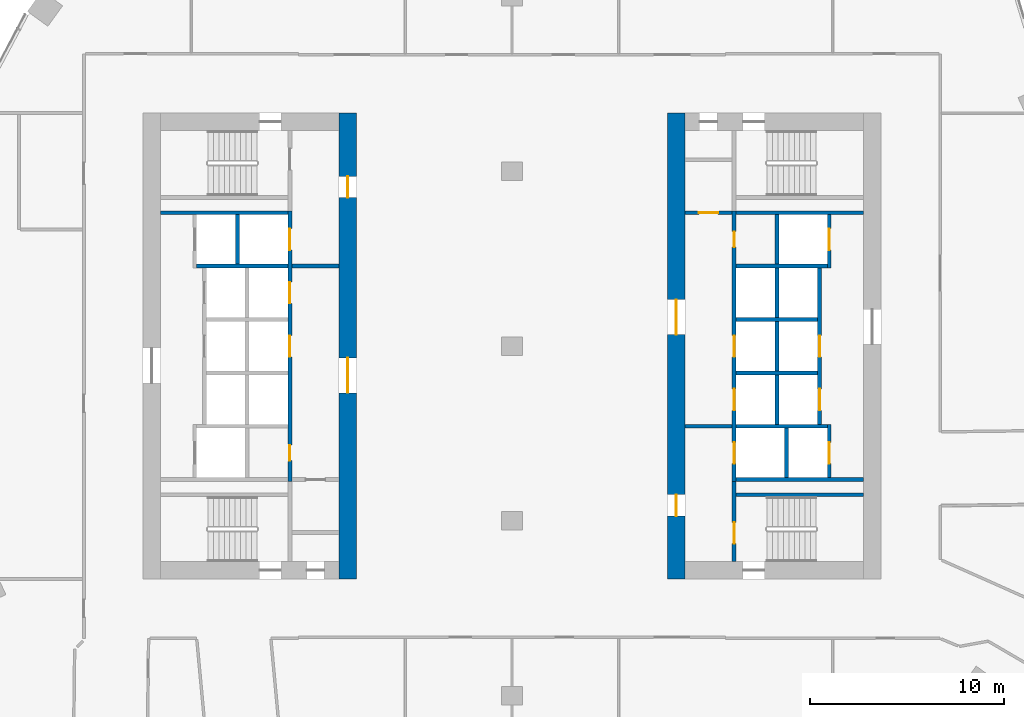
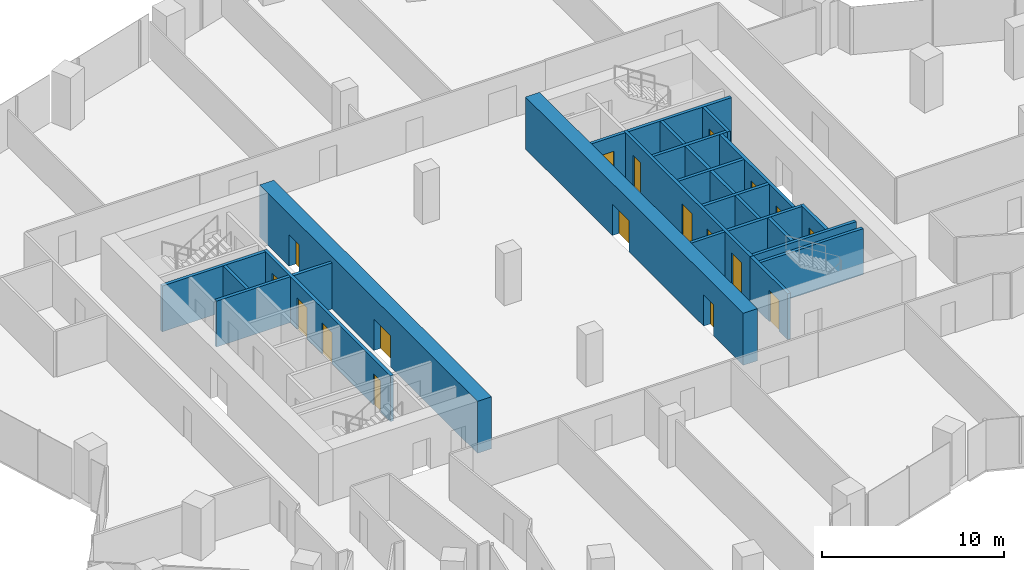
# One storey, part 25 of 31: 26 walls, 18 doors, 18 openings.
"""IFC4 building model written with IfcOpenShell, lengths in metres."""

from ifc_helpers import new_model, si_unit, direction, frame, frame_2d, origin, place, context, subcontext, project, spatial, rectangle, extrude, material, layer, layer_set, type_object, element, fill, save


model = new_model("IFC4")

# Units and contexts
model_context = context("Model", 3, precision=1e-05, world=origin(), true_north=direction((0.0, 1.0)))
body_context = subcontext(model_context, "Body", "Model", "MODEL_VIEW")
ifc_project = project(units=[si_unit("LENGTHUNIT", "METRE"), si_unit("AREAUNIT", "SQUARE_METRE"), si_unit("VOLUMEUNIT", "CUBIC_METRE"), si_unit("PLANEANGLEUNIT", "RADIAN"), si_unit("MASSUNIT", "GRAM", prefix="KILO")], contexts=[model_context])

# Site, building, storey
site_placement = place(None, origin())
site = spatial("IfcSite", under=ifc_project, at=site_placement, CompositionType="ELEMENT")
building_placement = place(site_placement, origin())
building = spatial("IfcBuilding", under=site, at=building_placement, Name="Orlundy Tower", CompositionType="ELEMENT")
storey_placement = place(building_placement, frame((0.0, 0.0, 91.199951171875)))
storey = spatial("IfcBuildingStorey", under=building, at=storey_placement, Name="L22", CompositionType="ELEMENT", Elevation=91.199951171875)

# Wall, openings, doors
ifc_material_1 = material(Name="Concrete C80/95", Category="concrete")
ifc_layer_1 = layer(ifc_material_1, 0.89990234375)
ifc_layer_set_1 = layer_set([ifc_layer_1], Name="CORE WALL 900 C80/95")
wall_type_1 = type_object("IfcWallType", Name="CORE WALL 900 C80/95", PredefinedType="SHEAR", material=ifc_layer_set_1)
wall_1_placement = place(storey_placement, frame((-8.449951171875, -12.0, 0.0), z_axis=(0.0, 0.0, 1.0), x_axis=(0.0, 1.0, 0.0)))
wall_1 = element("IfcWall", 1, at=wall_1_placement, inside=storey, type_object=wall_type_1, Name="Core wall W-E L22", PredefinedType="SHEAR", context=body_context, shape_type="SweptSolid", body=[
    extrude(rectangle(XDim=24.0, YDim=0.89990234375, at=frame_2d((12.0, 0.0))), origin(), (0.0, 0.0, 1.0), 3.5),
])
opening_1_placement = place(wall_1_placement, frame((9.60009765625, 0.0, 0.0)))
opening_1 = element("IfcOpeningElement", 2, at=opening_1_placement, cuts=wall_1, Name="Opening 18009", PredefinedType="OPENING", context=body_context, shape_type="SweptSolid", body=[
    extrude(rectangle(XDim=1.800048828125, YDim=2.10009765625, at=frame_2d((0.89990234375, 1.050048828125))), frame((0.0, 0.4599609375, 0.0), z_axis=(0.0, -1.0, 0.0), x_axis=(1.0, 0.0, 0.0)), (0.0, 0.0, 1.0), 0.919921875),
])
opening_2_placement = place(wall_1_placement, frame((19.64990234375, 0.0, 0.0)))
opening_2 = element("IfcOpeningElement", 3, at=opening_2_placement, cuts=wall_1, Name="Opening 18011", PredefinedType="OPENING", context=body_context, shape_type="SweptSolid", body=[
    extrude(rectangle(XDim=1.10009765625, YDim=2.10009765625, at=frame_2d((0.550048828125, 1.050048828125))), frame((0.0, 0.4599609375, 0.0), z_axis=(0.0, -1.0, 0.0), x_axis=(1.0, 0.0, 0.0)), (0.0, 0.0, 1.0), 0.919921875),
])
ifc_material_2 = material(Name="Steel door set", Category="steel")
door_type_1 = type_object("IfcDoorType", Name="Fire-fighting Lobby Door 1100x2100", OperationType="SINGLE_SWING_LEFT", PredefinedType="DOOR", material=ifc_material_2)
door_1_placement = place(opening_2_placement, origin())
door_1 = element("IfcDoor", 4, at=door_1_placement, inside=storey, type_object=door_type_1, Name="Fire-fighting lobby door 18011", OperationType="SINGLE_SWING_RIGHT", OverallHeight=2.10009765625, OverallWidth=1.10009765625, PredefinedType="DOOR", context=body_context, shape_type="SweptSolid", body=[
    extrude(rectangle(XDim=1.10009765625, YDim=2.10009765625, at=frame_2d((0.550048828125, 1.050048828125))), frame((0.0, 0.02490234375, 0.0), z_axis=(0.0, -1.0, 0.0), x_axis=(1.0, 0.0, 0.0)), (0.0, 0.0, 1.0), 0.050048828125),
])
fill(opening_2, door_1)
ifc_material_3 = material(Name="Timber door set", Category="wood")
door_type_2 = type_object("IfcDoorType", Name="Lobby Door 1800x2100", OperationType="DOUBLE_DOOR_DOUBLE_SWING", PredefinedType="DOOR", material=ifc_material_3)
door_2_placement = place(opening_1_placement, origin())
door_2 = element("IfcDoor", 5, at=door_2_placement, inside=storey, type_object=door_type_2, Name="Lift lobby door 18009", OperationType="SINGLE_SWING_LEFT", OverallHeight=2.10009765625, OverallWidth=1.800048828125, PredefinedType="DOOR", context=body_context, shape_type="SweptSolid", body=[
    extrude(rectangle(XDim=1.800048828125, YDim=2.10009765625, at=frame_2d((0.89990234375, 1.050048828125))), frame((0.0, 0.02490234375, 0.0), z_axis=(0.0, -1.0, 0.0), x_axis=(1.0, 0.0, 0.0)), (0.0, 0.0, 1.0), 0.050048828125),
])
fill(opening_1, door_2)

wall_2_placement = place(storey_placement, frame((8.449951171875, -12.0, 0.0), z_axis=(0.0, 0.0, 1.0), x_axis=(0.0, 1.0, 0.0)))
wall_2 = element("IfcWall", 6, at=wall_2_placement, inside=storey, type_object=wall_type_1, Name="Core wall E-W L22", PredefinedType="SHEAR", context=body_context, shape_type="SweptSolid", body=[
    extrude(rectangle(XDim=24.0, YDim=0.89990234375, at=frame_2d((12.0, 0.0))), origin(), (0.0, 0.0, 1.0), 3.5),
])
opening_3_placement = place(wall_2_placement, frame((12.60009765625, 0.0, 0.0)))
opening_3 = element("IfcOpeningElement", 7, at=opening_3_placement, cuts=wall_2, Name="Opening 18058", PredefinedType="OPENING", context=body_context, shape_type="SweptSolid", body=[
    extrude(rectangle(XDim=1.800048828125, YDim=2.10009765625, at=frame_2d((0.89990234375, 1.050048828125))), frame((0.0, 0.4599609375, 0.0), z_axis=(0.0, -1.0, 0.0), x_axis=(1.0, 0.0, 0.0)), (0.0, 0.0, 1.0), 0.919921875),
])
opening_4_placement = place(wall_2_placement, frame((3.25, 0.0, 0.0)))
opening_4 = element("IfcOpeningElement", 8, at=opening_4_placement, cuts=wall_2, Name="Opening 18060", PredefinedType="OPENING", context=body_context, shape_type="SweptSolid", body=[
    extrude(rectangle(XDim=1.10009765625, YDim=2.10009765625, at=frame_2d((0.550048828125, 1.050048828125))), frame((0.0, 0.4599609375, 0.0), z_axis=(0.0, -1.0, 0.0), x_axis=(1.0, 0.0, 0.0)), (0.0, 0.0, 1.0), 0.919921875),
])
door_3_placement = place(opening_4_placement, origin())
door_3 = element("IfcDoor", 9, at=door_3_placement, inside=storey, type_object=door_type_1, Name="Fire-fighting lobby door 18060", OperationType="SINGLE_SWING_LEFT", OverallHeight=2.10009765625, OverallWidth=1.10009765625, PredefinedType="DOOR", context=body_context, shape_type="SweptSolid", body=[
    extrude(rectangle(XDim=1.10009765625, YDim=2.10009765625, at=frame_2d((0.550048828125, 1.050048828125))), frame((0.0, 0.02490234375, 0.0), z_axis=(0.0, -1.0, 0.0), x_axis=(1.0, 0.0, 0.0)), (0.0, 0.0, 1.0), 0.050048828125),
])
fill(opening_4, door_3)
door_4_placement = place(opening_3_placement, origin())
door_4 = element("IfcDoor", 10, at=door_4_placement, inside=storey, type_object=door_type_2, Name="Lift lobby door 18058", OperationType="SINGLE_SWING_RIGHT", OverallHeight=2.10009765625, OverallWidth=1.800048828125, PredefinedType="DOOR", context=body_context, shape_type="SweptSolid", body=[
    extrude(rectangle(XDim=1.800048828125, YDim=2.10009765625, at=frame_2d((0.89990234375, 1.050048828125))), frame((0.0, 0.02490234375, 0.0), z_axis=(0.0, -1.0, 0.0), x_axis=(1.0, 0.0, 0.0)), (0.0, 0.0, 1.0), 0.050048828125),
])
fill(opening_3, door_4)

# Wall, opening, door
ifc_material_4 = material(Name="Concrete C40/50", Category="concrete")
ifc_layer_2 = layer(ifc_material_4, 0.199951171875)
ifc_layer_set_2 = layer_set([ifc_layer_2], Name="Load-bearing Shaft Wall 200")
wall_type_2 = type_object("IfcWallType", Name="Load-bearing Shaft Wall 200", PredefinedType="SOLIDWALL", material=ifc_layer_set_2)
wall_3_placement = place(storey_placement, frame((11.43994140625, -6.97509765625, 0.0), z_axis=(0.0, 0.0, 1.0), x_axis=(0.0, -1.0, 0.0)))
wall_3 = element("IfcWall", 11, at=wall_3_placement, inside=storey, type_object=wall_type_2, Name="Shaft wall E18-stair-end-n", PredefinedType="SOLIDWALL", context=body_context, shape_type="SweptSolid", body=[
    extrude(rectangle(XDim=4.125, YDim=0.199951171875, at=frame_2d((2.0625, 0.0))), origin(), (0.0, 0.0, 1.0), 3.090087890625),
])
opening_5_placement = place(wall_3_placement, frame((2.10009765625, 0.0, 0.0)))
opening_5 = element("IfcOpeningElement", 12, at=opening_5_placement, cuts=wall_3, Name="Opening 18063", PredefinedType="OPENING", context=body_context, shape_type="SweptSolid", body=[
    extrude(rectangle(XDim=1.10009765625, YDim=2.10009765625, at=frame_2d((0.550048828125, 1.050048828125))), frame((0.0, 0.110107421875, 0.0), z_axis=(0.0, -1.0, 0.0), x_axis=(1.0, 0.0, 0.0)), (0.0, 0.0, 1.0), 0.22021484375),
])
door_5_placement = place(opening_5_placement, origin())
door_5 = element("IfcDoor", 13, at=door_5_placement, inside=storey, type_object=door_type_1, Name="Fire-fighting lobby to stair door 18063", OperationType="SINGLE_SWING_RIGHT", OverallHeight=2.10009765625, OverallWidth=1.10009765625, PredefinedType="DOOR", context=body_context, shape_type="SweptSolid", body=[
    extrude(rectangle(XDim=1.10009765625, YDim=2.10009765625, at=frame_2d((0.550048828125, 1.050048828125))), frame((0.0, 0.02490234375, 0.0), z_axis=(0.0, -1.0, 0.0), x_axis=(1.0, 0.0, 0.0)), (0.0, 0.0, 1.0), 0.050048828125),
])
fill(opening_5, door_5)

# Walls
wall_4_placement = place(storey_placement, frame((11.5400390625, -7.64990234375, 0.0), z_axis=(0.0, 0.0, 1.0), x_axis=(1.0, 0.0, 0.0)))
element("IfcWall", 14, at=wall_4_placement, inside=storey, type_object=wall_type_2, Name="Shaft wall E18-stair-side-n", PredefinedType="SOLIDWALL", context=body_context, shape_type="SweptSolid", body=[
    extrude(rectangle(XDim=6.56005859375, YDim=0.199951171875, at=frame_2d((3.280029296875, 0.0))), origin(), (0.0, 0.0, 1.0), 3.090087890625),
])
ifc_material_5 = material(Name="Gypsum board partition on steel studs", Category="steel")
ifc_layer_3 = layer(ifc_material_5, 0.199951171875)
ifc_layer_set_3 = layer_set([ifc_layer_3], Name="Partition 200")
wall_type_3 = type_object("IfcWallType", Name="Partition 200", PredefinedType="PARTITIONING", material=ifc_layer_set_3)
for number, where, z_axis, x_axis, name in (
    (15, (-8.89990234375, 4.125, 0.0), (0.0, 0.0, 1.0), (-1.0, 0.0, 0.0), "Partition wall W18-lobby-n"),
    (16, (8.89990234375, -4.125, 0.0), (0.0, 0.0, 1.0), (1.0, 0.0, 0.0), "Partition wall E18-lobby-n"),
):
    element("IfcWall", number, at=place(storey_placement, frame(where, z_axis=z_axis, x_axis=x_axis)), inside=storey, type_object=wall_type_3, Name=name, PredefinedType="PARTITIONING", context=body_context, shape_type="SweptSolid", body=[
        extrude(rectangle(XDim=2.440185546875, YDim=0.199951171875, at=frame_2d((1.22021484375, 0.0))), origin(), (0.0, 0.0, 1.0), 3.090087890625),
    ])

# Wall, opening, door
wall_5_placement = place(storey_placement, frame((8.89990234375, 6.875, 0.0), z_axis=(0.0, 0.0, 1.0), x_axis=(1.0, 0.0, 0.0)))
wall_5 = element("IfcWall", 17, at=wall_5_placement, inside=storey, type_object=wall_type_3, Name="Partition wall E18-end-s", PredefinedType="PARTITIONING", context=body_context, shape_type="SweptSolid", body=[
    extrude(rectangle(XDim=2.440185546875, YDim=0.199951171875, at=frame_2d((1.22021484375, 0.0))), origin(), (0.0, 0.0, 1.0), 3.090087890625),
])
opening_6_placement = place(wall_5_placement, frame((0.719970703125, 0.0, 0.0)))
opening_6 = element("IfcOpeningElement", 18, at=opening_6_placement, cuts=wall_5, Name="Opening 18065", PredefinedType="OPENING", context=body_context, shape_type="SweptSolid", body=[
    extrude(rectangle(XDim=1.0, YDim=2.10009765625, at=frame_2d((0.5, 1.050048828125))), frame((0.0, 0.110107421875, 0.0), z_axis=(0.0, -1.0, 0.0), x_axis=(1.0, 0.0, 0.0)), (0.0, 0.0, 1.0), 0.22021484375),
])
ifc_material_6 = material(Name="Timber door set", Category="wood")
door_type_3 = type_object("IfcDoorType", Name="Accessible Door 1000x2100", OperationType="SINGLE_SWING_LEFT", PredefinedType="DOOR", material=ifc_material_6)
door_6_placement = place(opening_6_placement, origin())
door_6 = element("IfcDoor", 19, at=door_6_placement, inside=storey, type_object=door_type_3, Name="Accessible WC door 18065", OperationType="SINGLE_SWING_RIGHT", OverallHeight=2.10009765625, OverallWidth=1.0, PredefinedType="DOOR", context=body_context, shape_type="SweptSolid", body=[
    extrude(rectangle(XDim=1.0, YDim=2.10009765625, at=frame_2d((0.5, 1.050048828125))), frame((0.0, 0.02490234375, 0.0), z_axis=(0.0, -1.0, 0.0), x_axis=(1.0, 0.0, 0.0)), (0.0, 0.0, 1.0), 0.050048828125),
])
fill(opening_6, door_6)

# Walls
ifc_material_7 = material(Name="Fire-rated blockwork shaft wall", Category="masonry")
ifc_layer_4 = layer(ifc_material_7, 0.199951171875)
ifc_layer_set_4 = layer_set([ifc_layer_4], Name="Shaft Wall 200")
wall_type_4 = type_object("IfcWallType", Name="Shaft Wall 200", PredefinedType="SOLIDWALL", material=ifc_layer_set_4)
wall_6_placement = place(storey_placement, frame((-11.5400390625, 6.875, 0.0), z_axis=(0.0, 0.0, 1.0), x_axis=(-1.0, 0.0, 0.0)))
element("IfcWall", 20, at=wall_6_placement, inside=storey, type_object=wall_type_4, Name="Shaft wall W18-zone-n", PredefinedType="SOLIDWALL", context=body_context, shape_type="SweptSolid", body=[
    extrude(rectangle(XDim=6.56005859375, YDim=0.199951171875, at=frame_2d((3.280029296875, 0.0))), origin(), (0.0, 0.0, 1.0), 3.090087890625),
])
wall_7_placement = place(storey_placement, frame((-11.5400390625, 4.125, 0.0), z_axis=(0.0, 0.0, 1.0), x_axis=(-1.0, 0.0, 0.0)))
element("IfcWall", 21, at=wall_7_placement, inside=storey, type_object=wall_type_4, Name="Shaft wall W18-cross+4.125", PredefinedType="SOLIDWALL", context=body_context, shape_type="SweptSolid", body=[
    extrude(rectangle(XDim=4.699951171875, YDim=0.199951171875, at=frame_2d((2.35009765625, 0.0))), origin(), (0.0, 0.0, 1.0), 3.090087890625),
])

# Wall, openings, doors
wall_8_placement = place(storey_placement, frame((-11.43994140625, -6.97509765625, 0.0), z_axis=(0.0, 0.0, 1.0), x_axis=(0.0, 1.0, 0.0)))
wall_8 = element("IfcWall", 22, at=wall_8_placement, inside=storey, type_object=wall_type_4, Name="Shaft wall W18-front-h", PredefinedType="SOLIDWALL", context=body_context, shape_type="SweptSolid", body=[
    extrude(rectangle(XDim=13.9501953125, YDim=0.199951171875, at=frame_2d((6.97509765625, 0.0))), origin(), (0.0, 0.0, 1.0), 3.090087890625),
])
opening_7_placement = place(wall_8_placement, frame((6.425048828125, 0.0, 0.0)))
opening_7 = element("IfcOpeningElement", 23, at=opening_7_placement, cuts=wall_8, Name="Opening 18002", PredefinedType="OPENING", context=body_context, shape_type="SweptSolid", body=[
    extrude(rectangle(XDim=1.10009765625, YDim=2.10009765625, at=frame_2d((0.550048828125, 1.050048828125))), frame((0.0, 0.110107421875, 0.0), z_axis=(0.0, -1.0, 0.0), x_axis=(1.0, 0.0, 0.0)), (0.0, 0.0, 1.0), 0.22021484375),
])
opening_8_placement = place(wall_8_placement, frame((9.175048828125, 0.0, 0.0)))
opening_8 = element("IfcOpeningElement", 24, at=opening_8_placement, cuts=wall_8, Name="Opening 18004", PredefinedType="OPENING", context=body_context, shape_type="SweptSolid", body=[
    extrude(rectangle(XDim=1.10009765625, YDim=2.10009765625, at=frame_2d((0.550048828125, 1.050048828125))), frame((0.0, 0.110107421875, 0.0), z_axis=(0.0, -1.0, 0.0), x_axis=(1.0, 0.0, 0.0)), (0.0, 0.0, 1.0), 0.22021484375),
])
opening_9_placement = place(wall_8_placement, frame((11.925048828125, 0.0, 0.0)))
opening_9 = element("IfcOpeningElement", 25, at=opening_9_placement, cuts=wall_8, Name="Opening 18006", PredefinedType="OPENING", context=body_context, shape_type="SweptSolid", body=[
    extrude(rectangle(XDim=1.10009765625, YDim=2.10009765625, at=frame_2d((0.550048828125, 1.050048828125))), frame((0.0, 0.110107421875, 0.0), z_axis=(0.0, -1.0, 0.0), x_axis=(1.0, 0.0, 0.0)), (0.0, 0.0, 1.0), 0.22021484375),
])
opening_10_placement = place(wall_8_placement, frame((1.074951171875, 0.0, 0.0)))
opening_10 = element("IfcOpeningElement", 26, at=opening_10_placement, cuts=wall_8, Name="Opening 18008", PredefinedType="OPENING", context=body_context, shape_type="SweptSolid", body=[
    extrude(rectangle(XDim=0.800048828125, YDim=2.10009765625, at=frame_2d((0.39990234375, 1.050048828125))), frame((0.0, 0.110107421875, 0.0), z_axis=(0.0, -1.0, 0.0), x_axis=(1.0, 0.0, 0.0)), (0.0, 0.0, 1.0), 0.22021484375),
])
ifc_material_8 = material(Name="Steel door set", Category="steel")
door_type_4 = type_object("IfcDoorType", Name="Landing Door 1100x2100", OperationType="DOUBLE_DOOR_SLIDING", PredefinedType="DOOR", material=ifc_material_8)
door_7_placement = place(opening_7_placement, origin())
door_7 = element("IfcDoor", 27, at=door_7_placement, inside=storey, type_object=door_type_4, Name="Lift landing door LP-05 18002", OperationType="DOUBLE_DOOR_SLIDING", OverallHeight=2.10009765625, OverallWidth=1.10009765625, PredefinedType="DOOR", context=body_context, shape_type="SweptSolid", body=[
    extrude(rectangle(XDim=1.10009765625, YDim=2.10009765625, at=frame_2d((0.550048828125, 1.050048828125))), frame((0.0, 0.02490234375, 0.0), z_axis=(0.0, -1.0, 0.0), x_axis=(1.0, 0.0, 0.0)), (0.0, 0.0, 1.0), 0.050048828125),
])
fill(opening_7, door_7)
door_8_placement = place(opening_8_placement, origin())
door_8 = element("IfcDoor", 28, at=door_8_placement, inside=storey, type_object=door_type_4, Name="Lift landing door LP-02 18004", OperationType="DOUBLE_DOOR_SLIDING", OverallHeight=2.10009765625, OverallWidth=1.10009765625, PredefinedType="DOOR", context=body_context, shape_type="SweptSolid", body=[
    extrude(rectangle(XDim=1.10009765625, YDim=2.10009765625, at=frame_2d((0.550048828125, 1.050048828125))), frame((0.0, 0.02490234375, 0.0), z_axis=(0.0, -1.0, 0.0), x_axis=(1.0, 0.0, 0.0)), (0.0, 0.0, 1.0), 0.050048828125),
])
fill(opening_8, door_8)
door_9_placement = place(opening_9_placement, origin())
door_9 = element("IfcDoor", 29, at=door_9_placement, inside=storey, type_object=door_type_4, Name="Lift landing door FL1 18006", OperationType="DOUBLE_DOOR_SLIDING", OverallHeight=2.10009765625, OverallWidth=1.10009765625, PredefinedType="DOOR", context=body_context, shape_type="SweptSolid", body=[
    extrude(rectangle(XDim=1.10009765625, YDim=2.10009765625, at=frame_2d((0.550048828125, 1.050048828125))), frame((0.0, 0.02490234375, 0.0), z_axis=(0.0, -1.0, 0.0), x_axis=(1.0, 0.0, 0.0)), (0.0, 0.0, 1.0), 0.050048828125),
])
fill(opening_9, door_9)
ifc_material_9 = material(Name="Timber door set", Category="wood")
door_type_5 = type_object("IfcDoorType", Name="Riser Door 800x2100", OperationType="SINGLE_SWING_LEFT", PredefinedType="DOOR", material=ifc_material_9)
door_10_placement = place(opening_10_placement, origin())
door_10 = element("IfcDoor", 30, at=door_10_placement, inside=storey, type_object=door_type_5, Name="Electrical Riser Room door 18008", OperationType="SINGLE_SWING_LEFT", OverallHeight=2.10009765625, OverallWidth=0.800048828125, PredefinedType="DOOR", context=body_context, shape_type="SweptSolid", body=[
    extrude(rectangle(XDim=0.800048828125, YDim=2.10009765625, at=frame_2d((0.39990234375, 1.050048828125))), frame((0.0, 0.02490234375, 0.0), z_axis=(0.0, -1.0, 0.0), x_axis=(1.0, 0.0, 0.0)), (0.0, 0.0, 1.0), 0.050048828125),
])
fill(opening_10, door_10)

# Walls
wall_9_placement = place(storey_placement, frame((-14.139892578125, 4.22509765625, 0.0), z_axis=(0.0, 0.0, 1.0), x_axis=(0.0, 1.0, 0.0)))
element("IfcWall", 31, at=wall_9_placement, inside=storey, type_object=wall_type_4, Name="Shaft wall W18-mid-b", PredefinedType="SOLIDWALL", context=body_context, shape_type="SweptSolid", body=[
    extrude(rectangle(XDim=2.5498046875, YDim=0.199951171875, at=frame_2d((1.27490234375, 0.0))), origin(), (0.0, 0.0, 1.0), 3.090087890625),
])
for number, where, z_axis, x_axis, name in (
    (32, (11.5400390625, -6.875, 0.0), (0.0, 0.0, 1.0), (1.0, 0.0, 0.0), "Shaft wall E18-zone-n"),
    (33, (11.5400390625, 6.875, 0.0), (0.0, 0.0, 1.0), (1.0, 0.0, 0.0), "Shaft wall E18-zone-s"),
):
    element("IfcWall", number, at=place(storey_placement, frame(where, z_axis=z_axis, x_axis=x_axis)), inside=storey, type_object=wall_type_4, Name=name, PredefinedType="SOLIDWALL", context=body_context, shape_type="SweptSolid", body=[
        extrude(rectangle(XDim=6.56005859375, YDim=0.199951171875, at=frame_2d((3.280029296875, 0.0))), origin(), (0.0, 0.0, 1.0), 3.090087890625),
    ])
wall_10_placement = place(storey_placement, frame((11.5400390625, 4.125, 0.0), z_axis=(0.0, 0.0, 1.0), x_axis=(1.0, 0.0, 0.0)))
element("IfcWall", 34, at=wall_10_placement, inside=storey, type_object=wall_type_4, Name="Shaft wall E18-cross-4.125", PredefinedType="SOLIDWALL", context=body_context, shape_type="SweptSolid", body=[
    extrude(rectangle(XDim=4.699951171875, YDim=0.199951171875, at=frame_2d((2.35009765625, 0.0))), origin(), (0.0, 0.0, 1.0), 3.090087890625),
])
for number, where, z_axis, x_axis, name in (
    (35, (11.5400390625, 1.375, 0.0), (0.0, 0.0, 1.0), (1.0, 0.0, 0.0), "Shaft wall E18-cross-1.375"),
    (36, (11.5400390625, -1.375, 0.0), (0.0, 0.0, 1.0), (1.0, 0.0, 0.0), "Shaft wall E18-cross+1.375"),
):
    element("IfcWall", number, at=place(storey_placement, frame(where, z_axis=z_axis, x_axis=x_axis)), inside=storey, type_object=wall_type_4, Name=name, PredefinedType="SOLIDWALL", context=body_context, shape_type="SweptSolid", body=[
        extrude(rectangle(XDim=4.199951171875, YDim=0.199951171875, at=frame_2d((2.10009765625, 0.0))), origin(), (0.0, 0.0, 1.0), 3.090087890625),
    ])
wall_11_placement = place(storey_placement, frame((11.5400390625, -4.125, 0.0), z_axis=(0.0, 0.0, 1.0), x_axis=(1.0, 0.0, 0.0)))
element("IfcWall", 37, at=wall_11_placement, inside=storey, type_object=wall_type_4, Name="Shaft wall E18-cross+4.125", PredefinedType="SOLIDWALL", context=body_context, shape_type="SweptSolid", body=[
    extrude(rectangle(XDim=4.699951171875, YDim=0.199951171875, at=frame_2d((2.35009765625, 0.0))), origin(), (0.0, 0.0, 1.0), 3.090087890625),
])

# Wall, openings, doors
wall_12_placement = place(storey_placement, frame((11.43994140625, 6.97509765625, 0.0), z_axis=(0.0, 0.0, 1.0), x_axis=(0.0, -1.0, 0.0)))
wall_12 = element("IfcWall", 38, at=wall_12_placement, inside=storey, type_object=wall_type_4, Name="Shaft wall E18-front-h", PredefinedType="SOLIDWALL", context=body_context, shape_type="SweptSolid", body=[
    extrude(rectangle(XDim=13.9501953125, YDim=0.199951171875, at=frame_2d((6.97509765625, 0.0))), origin(), (0.0, 0.0, 1.0), 3.090087890625),
])
opening_11_placement = place(wall_12_placement, frame((6.425048828125, 0.0, 0.0)))
opening_11 = element("IfcOpeningElement", 39, at=opening_11_placement, cuts=wall_12, Name="Opening 18051", PredefinedType="OPENING", context=body_context, shape_type="SweptSolid", body=[
    extrude(rectangle(XDim=1.10009765625, YDim=2.10009765625, at=frame_2d((0.550048828125, 1.050048828125))), frame((0.0, 0.110107421875, 0.0), z_axis=(0.0, -1.0, 0.0), x_axis=(1.0, 0.0, 0.0)), (0.0, 0.0, 1.0), 0.22021484375),
])
opening_12_placement = place(wall_12_placement, frame((9.175048828125, 0.0, 0.0)))
opening_12 = element("IfcOpeningElement", 40, at=opening_12_placement, cuts=wall_12, Name="Opening 18053", PredefinedType="OPENING", context=body_context, shape_type="SweptSolid", body=[
    extrude(rectangle(XDim=1.10009765625, YDim=2.10009765625, at=frame_2d((0.550048828125, 1.050048828125))), frame((0.0, 0.110107421875, 0.0), z_axis=(0.0, -1.0, 0.0), x_axis=(1.0, 0.0, 0.0)), (0.0, 0.0, 1.0), 0.22021484375),
])
opening_13_placement = place(wall_12_placement, frame((11.925048828125, 0.0, 0.0)))
opening_13 = element("IfcOpeningElement", 41, at=opening_13_placement, cuts=wall_12, Name="Opening 18055", PredefinedType="OPENING", context=body_context, shape_type="SweptSolid", body=[
    extrude(rectangle(XDim=1.10009765625, YDim=2.10009765625, at=frame_2d((0.550048828125, 1.050048828125))), frame((0.0, 0.110107421875, 0.0), z_axis=(0.0, -1.0, 0.0), x_axis=(1.0, 0.0, 0.0)), (0.0, 0.0, 1.0), 0.22021484375),
])
opening_14_placement = place(wall_12_placement, frame((1.074951171875, 0.0, 0.0)))
opening_14 = element("IfcOpeningElement", 42, at=opening_14_placement, cuts=wall_12, Name="Opening 18057", PredefinedType="OPENING", context=body_context, shape_type="SweptSolid", body=[
    extrude(rectangle(XDim=0.800048828125, YDim=2.10009765625, at=frame_2d((0.39990234375, 1.050048828125))), frame((0.0, 0.110107421875, 0.0), z_axis=(0.0, -1.0, 0.0), x_axis=(1.0, 0.0, 0.0)), (0.0, 0.0, 1.0), 0.22021484375),
])
door_11_placement = place(opening_11_placement, origin())
door_11 = element("IfcDoor", 43, at=door_11_placement, inside=storey, type_object=door_type_4, Name="Lift landing door LP-10 18051", OperationType="DOUBLE_DOOR_SLIDING", OverallHeight=2.10009765625, OverallWidth=1.10009765625, PredefinedType="DOOR", context=body_context, shape_type="SweptSolid", body=[
    extrude(rectangle(XDim=1.10009765625, YDim=2.10009765625, at=frame_2d((0.550048828125, 1.050048828125))), frame((0.0, 0.02490234375, 0.0), z_axis=(0.0, -1.0, 0.0), x_axis=(1.0, 0.0, 0.0)), (0.0, 0.0, 1.0), 0.050048828125),
])
fill(opening_11, door_11)
door_12_placement = place(opening_12_placement, origin())
door_12 = element("IfcDoor", 44, at=door_12_placement, inside=storey, type_object=door_type_4, Name="Lift landing door LP-07 18053", OperationType="DOUBLE_DOOR_SLIDING", OverallHeight=2.10009765625, OverallWidth=1.10009765625, PredefinedType="DOOR", context=body_context, shape_type="SweptSolid", body=[
    extrude(rectangle(XDim=1.10009765625, YDim=2.10009765625, at=frame_2d((0.550048828125, 1.050048828125))), frame((0.0, 0.02490234375, 0.0), z_axis=(0.0, -1.0, 0.0), x_axis=(1.0, 0.0, 0.0)), (0.0, 0.0, 1.0), 0.050048828125),
])
fill(opening_12, door_12)
door_13_placement = place(opening_13_placement, origin())
door_13 = element("IfcDoor", 45, at=door_13_placement, inside=storey, type_object=door_type_4, Name="Lift landing door FL2 18055", OperationType="DOUBLE_DOOR_SLIDING", OverallHeight=2.10009765625, OverallWidth=1.10009765625, PredefinedType="DOOR", context=body_context, shape_type="SweptSolid", body=[
    extrude(rectangle(XDim=1.10009765625, YDim=2.10009765625, at=frame_2d((0.550048828125, 1.050048828125))), frame((0.0, 0.02490234375, 0.0), z_axis=(0.0, -1.0, 0.0), x_axis=(1.0, 0.0, 0.0)), (0.0, 0.0, 1.0), 0.050048828125),
])
fill(opening_13, door_13)
door_14_placement = place(opening_14_placement, origin())
door_14 = element("IfcDoor", 46, at=door_14_placement, inside=storey, type_object=door_type_5, Name="Electrical Riser Room door 18057", OperationType="SINGLE_SWING_LEFT", OverallHeight=2.10009765625, OverallWidth=0.800048828125, PredefinedType="DOOR", context=body_context, shape_type="SweptSolid", body=[
    extrude(rectangle(XDim=0.800048828125, YDim=2.10009765625, at=frame_2d((0.39990234375, 1.050048828125))), frame((0.0, 0.02490234375, 0.0), z_axis=(0.0, -1.0, 0.0), x_axis=(1.0, 0.0, 0.0)), (0.0, 0.0, 1.0), 0.050048828125),
])
fill(opening_14, door_14)

# Walls
for number, where, z_axis, x_axis, name in (
    (47, (13.639892578125, 6.77490234375, 0.0), (0.0, 0.0, 1.0), (0.0, -1.0, 0.0), "Shaft wall E18-mid-a"),
    (48, (13.639892578125, 4.02490234375, 0.0), (0.0, 0.0, 1.0), (0.0, -1.0, 0.0), "Shaft wall E18-mid-a.1"),
    (49, (13.639892578125, 1.27490234375, 0.0), (0.0, 0.0, 1.0), (0.0, -1.0, 0.0), "Shaft wall E18-mid-a.2"),
    (50, (13.639892578125, -1.47509765625, 0.0), (0.0, 0.0, 1.0), (0.0, -1.0, 0.0), "Shaft wall E18-mid-a.3"),
    (51, (14.139892578125, -4.22509765625, 0.0), (0.0, 0.0, 1.0), (0.0, -1.0, 0.0), "Shaft wall E18-mid-b"),
):
    element("IfcWall", number, at=place(storey_placement, frame(where, z_axis=z_axis, x_axis=x_axis)), inside=storey, type_object=wall_type_4, Name=name, PredefinedType="SOLIDWALL", context=body_context, shape_type="SweptSolid", body=[
        extrude(rectangle(XDim=2.5498046875, YDim=0.199951171875, at=frame_2d((1.27490234375, 0.0))), origin(), (0.0, 0.0, 1.0), 3.090087890625),
    ])

# Wall, opening, door
wall_13_placement = place(storey_placement, frame((16.340087890625, 6.77490234375, 0.0), z_axis=(0.0, 0.0, 1.0), x_axis=(0.0, -1.0, 0.0)))
wall_13 = element("IfcWall", 52, at=wall_13_placement, inside=storey, type_object=wall_type_4, Name="Shaft wall E18-front-o-a", PredefinedType="SOLIDWALL", context=body_context, shape_type="SweptSolid", body=[
    extrude(rectangle(XDim=2.75, YDim=0.199951171875, at=frame_2d((1.375, 0.0))), origin(), (0.0, 0.0, 1.0), 3.090087890625),
])
opening_15_placement = place(wall_13_placement, frame((0.72509765625, 0.0, 0.0)))
opening_15 = element("IfcOpeningElement", 53, at=opening_15_placement, cuts=wall_13, Name="Opening 18050", PredefinedType="OPENING", context=body_context, shape_type="SweptSolid", body=[
    extrude(rectangle(XDim=1.10009765625, YDim=2.10009765625, at=frame_2d((0.550048828125, 1.050048828125))), frame((0.0, 0.110107421875, 0.0), z_axis=(0.0, -1.0, 0.0), x_axis=(1.0, 0.0, 0.0)), (0.0, 0.0, 1.0), 0.22021484375),
])
door_15_placement = place(opening_15_placement, origin())
door_15 = element("IfcDoor", 54, at=door_15_placement, inside=storey, type_object=door_type_4, Name="Lift landing door LV-02 18050", OperationType="DOUBLE_DOOR_SLIDING", OverallHeight=2.10009765625, OverallWidth=1.10009765625, PredefinedType="DOOR", context=body_context, shape_type="SweptSolid", body=[
    extrude(rectangle(XDim=1.10009765625, YDim=2.10009765625, at=frame_2d((0.550048828125, 1.050048828125))), frame((0.0, 0.02490234375, 0.0), z_axis=(0.0, -1.0, 0.0), x_axis=(1.0, 0.0, 0.0)), (0.0, 0.0, 1.0), 0.050048828125),
])
fill(opening_15, door_15)

# Wall, openings, doors
wall_14_placement = place(storey_placement, frame((15.840087890625, 4.02490234375, 0.0), z_axis=(0.0, 0.0, 1.0), x_axis=(0.0, -1.0, 0.0)))
wall_14 = element("IfcWall", 55, at=wall_14_placement, inside=storey, type_object=wall_type_4, Name="Shaft wall E18-front-o-b", PredefinedType="SOLIDWALL", context=body_context, shape_type="SweptSolid", body=[
    extrude(rectangle(XDim=8.0498046875, YDim=0.199951171875, at=frame_2d((4.02490234375, 0.0))), origin(), (0.0, 0.0, 1.0), 3.090087890625),
])
opening_16_placement = place(wall_14_placement, frame((3.47509765625, 0.0, 0.0)))
opening_16 = element("IfcOpeningElement", 56, at=opening_16_placement, cuts=wall_14, Name="Opening 18052", PredefinedType="OPENING", context=body_context, shape_type="SweptSolid", body=[
    extrude(rectangle(XDim=1.10009765625, YDim=2.10009765625, at=frame_2d((0.550048828125, 1.050048828125))), frame((0.0, 0.110107421875, 0.0), z_axis=(0.0, -1.0, 0.0), x_axis=(1.0, 0.0, 0.0)), (0.0, 0.0, 1.0), 0.22021484375),
])
opening_17_placement = place(wall_14_placement, frame((6.22509765625, 0.0, 0.0)))
opening_17 = element("IfcOpeningElement", 57, at=opening_17_placement, cuts=wall_14, Name="Opening 18054", PredefinedType="OPENING", context=body_context, shape_type="SweptSolid", body=[
    extrude(rectangle(XDim=1.10009765625, YDim=2.10009765625, at=frame_2d((0.550048828125, 1.050048828125))), frame((0.0, 0.110107421875, 0.0), z_axis=(0.0, -1.0, 0.0), x_axis=(1.0, 0.0, 0.0)), (0.0, 0.0, 1.0), 0.22021484375),
])
door_16_placement = place(opening_16_placement, origin())
door_16 = element("IfcDoor", 58, at=door_16_placement, inside=storey, type_object=door_type_4, Name="Lift landing door LP-06 18052", OperationType="DOUBLE_DOOR_SLIDING", OverallHeight=2.10009765625, OverallWidth=1.10009765625, PredefinedType="DOOR", context=body_context, shape_type="SweptSolid", body=[
    extrude(rectangle(XDim=1.10009765625, YDim=2.10009765625, at=frame_2d((0.550048828125, 1.050048828125))), frame((0.0, 0.02490234375, 0.0), z_axis=(0.0, -1.0, 0.0), x_axis=(1.0, 0.0, 0.0)), (0.0, 0.0, 1.0), 0.050048828125),
])
fill(opening_16, door_16)
door_17_placement = place(opening_17_placement, origin())
door_17 = element("IfcDoor", 59, at=door_17_placement, inside=storey, type_object=door_type_4, Name="Lift landing door LP-08 18054", OperationType="DOUBLE_DOOR_SLIDING", OverallHeight=2.10009765625, OverallWidth=1.10009765625, PredefinedType="DOOR", context=body_context, shape_type="SweptSolid", body=[
    extrude(rectangle(XDim=1.10009765625, YDim=2.10009765625, at=frame_2d((0.550048828125, 1.050048828125))), frame((0.0, 0.02490234375, 0.0), z_axis=(0.0, -1.0, 0.0), x_axis=(1.0, 0.0, 0.0)), (0.0, 0.0, 1.0), 0.050048828125),
])
fill(opening_17, door_17)

# Wall, opening, door
wall_15_placement = place(storey_placement, frame((16.340087890625, -4.02490234375, 0.0), z_axis=(0.0, 0.0, 1.0), x_axis=(0.0, -1.0, 0.0)))
wall_15 = element("IfcWall", 60, at=wall_15_placement, inside=storey, type_object=wall_type_4, Name="Shaft wall E18-front-o-c", PredefinedType="SOLIDWALL", context=body_context, shape_type="SweptSolid", body=[
    extrude(rectangle(XDim=2.75, YDim=0.199951171875, at=frame_2d((1.375, 0.0))), origin(), (0.0, 0.0, 1.0), 3.090087890625),
])
opening_18_placement = place(wall_15_placement, frame((0.925048828125, 0.0, 0.0)))
opening_18 = element("IfcOpeningElement", 61, at=opening_18_placement, cuts=wall_15, Name="Opening 18056", PredefinedType="OPENING", context=body_context, shape_type="SweptSolid", body=[
    extrude(rectangle(XDim=1.10009765625, YDim=2.10009765625, at=frame_2d((0.550048828125, 1.050048828125))), frame((0.0, 0.110107421875, 0.0), z_axis=(0.0, -1.0, 0.0), x_axis=(1.0, 0.0, 0.0)), (0.0, 0.0, 1.0), 0.22021484375),
])
door_18_placement = place(opening_18_placement, origin())
door_18 = element("IfcDoor", 62, at=door_18_placement, inside=storey, type_object=door_type_4, Name="Lift landing door LP-09 18056", OperationType="DOUBLE_DOOR_SLIDING", OverallHeight=2.10009765625, OverallWidth=1.10009765625, PredefinedType="DOOR", context=body_context, shape_type="SweptSolid", body=[
    extrude(rectangle(XDim=1.10009765625, YDim=2.10009765625, at=frame_2d((0.550048828125, 1.050048828125))), frame((0.0, 0.02490234375, 0.0), z_axis=(0.0, -1.0, 0.0), x_axis=(1.0, 0.0, 0.0)), (0.0, 0.0, 1.0), 0.050048828125),
])
fill(opening_18, door_18)

save(model, "model.ifc")
